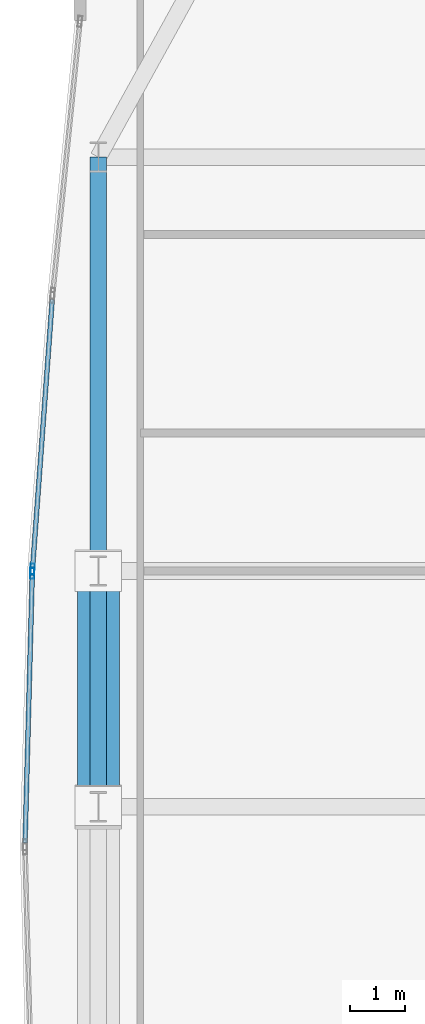
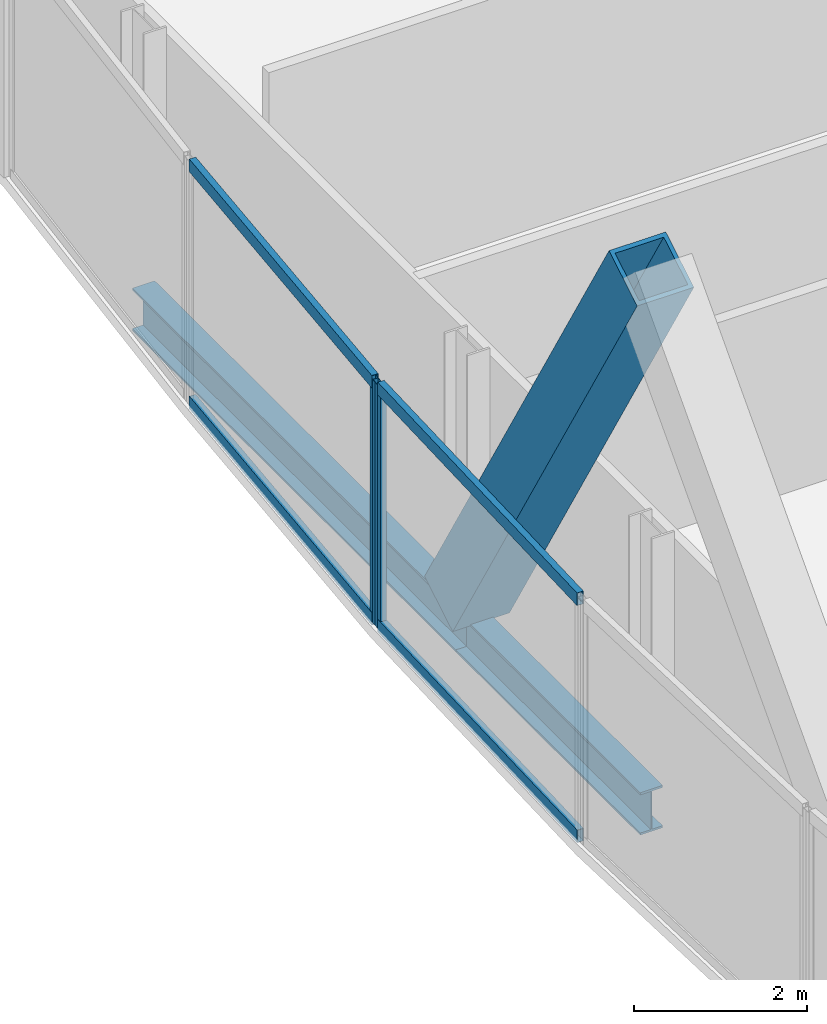
# One storey, part 11 of 31: 7 members, 2 beams, 2 elements without a shape of their own.
"""IFC4 building model written with IfcOpenShell, lengths in metres."""

from ifc_helpers import new_model, si_unit, direction, frame, origin, origin_2d, place, context, subcontext, project, spatial, hollow_rectangle, i_section, extrude, material, material_profile, profile_set, type_object, element, aggregate, save


model = new_model("IFC4")

# Units and contexts
model_context = context("Model", 3, precision=1e-05, world=origin(), true_north=direction((0.0, 1.0)))
body_context = subcontext(model_context, "Body", "Model", "MODEL_VIEW")
ifc_project = project(units=[si_unit("LENGTHUNIT", "METRE"), si_unit("AREAUNIT", "SQUARE_METRE"), si_unit("VOLUMEUNIT", "CUBIC_METRE"), si_unit("PLANEANGLEUNIT", "RADIAN"), si_unit("MASSUNIT", "GRAM", prefix="KILO")], contexts=[model_context])

# Site, building, storey
site_placement = place(None, origin())
site = spatial("IfcSite", under=ifc_project, at=site_placement, CompositionType="ELEMENT")
building_placement = place(site_placement, origin())
building = spatial("IfcBuilding", under=site, at=building_placement, Name="Khoronbel Lancet Exchange", CompositionType="ELEMENT")
storey_placement = place(building_placement, frame((0.0, 0.0, 129.0)))
storey = spatial("IfcBuildingStorey", under=building, at=storey_placement, Name="L31", CompositionType="ELEMENT", Elevation=129.0)

# Beams
ifc_material_1 = material(Name="Steel S355", Category="steel")
ifc_material_profile_1 = material_profile(ifc_material_1, i_section(OverallWidth=0.300048828125, OverallDepth=0.60009765625, WebThickness=0.015380859375, FlangeThickness=0.030029296875, at=origin_2d()), Name="HEB 600")
ifc_profile_set_1 = profile_set([ifc_material_profile_1], Name="Steel S355")
beam_type = type_object("IfcBeamType", Name="BM-BSP2", PredefinedType="SPANDREL", material=ifc_profile_set_1)
beam_1_placement = place(storey_placement, frame((3.27001953125, 43.199951171875, -0.4599609375), z_axis=(0.0, -1.0, 0.0), x_axis=(1.0, 0.0, 0.0)))
element("IfcBeam", 1, at=beam_1_placement, inside=storey, type_object=beam_type, Name="Level L31 perimeter spandrel beam SP17", PredefinedType="SPANDREL", context=body_context, shape_type="SweptSolid", body=[
    extrude(i_section(OverallWidth=0.300048828125, OverallDepth=0.60009765625, WebThickness=0.015380859375, FlangeThickness=0.030029296875, at=origin_2d()), origin(), (0.0, 0.0, 1.0), 7.5),
])
beam_2_placement = place(storey_placement, frame((3.27001953125, 35.699951171875, -0.4599609375), z_axis=(0.0, -1.0, 0.0), x_axis=(1.0, 0.0, 0.0)))
element("IfcBeam", 2, at=beam_2_placement, inside=storey, type_object=beam_type, Name="Level L31 perimeter spandrel beam SP18", PredefinedType="SPANDREL", context=body_context, shape_type="SweptSolid", body=[
    extrude(i_section(OverallWidth=0.300048828125, OverallDepth=0.60009765625, WebThickness=0.015380859375, FlangeThickness=0.030029296875, at=origin_2d()), origin(), (0.0, 0.0, 1.0), 4.27490234375),
])

# Curtain wall, member
ifc_material_2 = material(Name="Low-E Solar Control Insulating Glass", Category="glass")
curtain_wall_type = type_object("IfcCurtainWallType", Name="CW-4", PredefinedType="NOTDEFINED", material=ifc_material_2)
curtain_wall_1_placement = place(storey_placement, origin())
curtain_wall_1 = element("IfcCurtainWall", 3, at=curtain_wall_1_placement, inside=storey, type_object=curtain_wall_type, Name="Unitised curtain wall CW-L31-E07", PredefinedType="NOTDEFINED")
ifc_material_3 = material(Name="Bronze-Anodised Aluminium 6063-T6", Category="aluminium")
ifc_material_profile_2 = material_profile(ifc_material_3, hollow_rectangle(XDim=0.074951171875, YDim=0.199951171875, WallThickness=0.0048828125, at=origin_2d()), Name="ALU MULLION 75x200")
ifc_profile_set_2 = profile_set([ifc_material_profile_2], Name="Bronze-Anodised Aluminium 6063-T6")
member_type_1 = type_object("IfcMemberType", Name="MEM-CWM2", PredefinedType="MULLION", material=ifc_profile_set_2)
member_1_placement = place(storey_placement, frame((2.072998046875, 35.657958984375, 0.0), z_axis=(0.0, 0.0, 1.0), x_axis=(-0.99964096293, 0.026794500031, 0.0)))
member_1 = element("IfcMember", 4, at=member_1_placement, type_object=member_type_1, Name="CW4 mullion 2", PredefinedType="MULLION", context=body_context, shape_type="SweptSolid", body=[
    extrude(hollow_rectangle(XDim=0.074951171875, YDim=0.199951171875, WallThickness=0.0048828125, at=origin_2d()), origin(), (0.0, 0.0, 1.0), 3.43994140625),
])

curtain_wall_2_placement = place(storey_placement, origin())
curtain_wall_2 = element("IfcCurtainWall", 5, at=curtain_wall_2_placement, inside=storey, type_object=curtain_wall_type, Name="Unitised curtain wall CW-L31-E08", PredefinedType="NOTDEFINED")
member_2_placement = place(storey_placement, frame((2.07666015625, 35.73291015625, 0.0), z_axis=(0.0, 0.0, 1.0), x_axis=(-0.997330994662, 0.073012924107, 0.0)))
member_2 = element("IfcMember", 6, at=member_2_placement, type_object=member_type_1, Name="CW4 mullion 1", PredefinedType="MULLION", context=body_context, shape_type="SweptSolid", body=[
    extrude(hollow_rectangle(XDim=0.074951171875, YDim=0.199951171875, WallThickness=0.0048828125, at=origin_2d()), origin(), (0.0, 0.0, 1.0), 3.43994140625),
])

# Member
ifc_material_profile_3 = material_profile(ifc_material_3, hollow_rectangle(XDim=0.0849609375, YDim=0.179931640625, WallThickness=0.0048828125, at=origin_2d()), Name="ALU TRANSOM 85x180")
ifc_profile_set_3 = profile_set([ifc_material_profile_3], Name="Bronze-Anodised Aluminium 6063-T6")
member_type_2 = type_object("IfcMemberType", Name="MEM-CWT1", PredefinedType="USERDEFINED", material=ifc_profile_set_3)
member_3_placement = place(storey_placement, frame((1.94189453125, 30.77490234375, 0.04248046875), z_axis=(0.026794084956, 0.999640974056, 0.0), x_axis=(-0.999640974056, 0.026794084956, 0.0)))
member_3 = element("IfcMember", 7, at=member_3_placement, type_object=member_type_2, Name="CW4 transom 1.1", ObjectType="TRANSOM", PredefinedType="USERDEFINED", context=body_context, shape_type="SweptSolid", body=[
    extrude(hollow_rectangle(XDim=0.0849609375, YDim=0.179931640625, WallThickness=0.0048828125, at=origin_2d()), origin(), (0.0, 0.0, 1.0), 4.847412109375),
])

member_4_placement = place(storey_placement, frame((1.94189453125, 30.77490234375, 3.3974609375), z_axis=(0.026794084956, 0.999640974056, 0.0), x_axis=(-0.999640974056, 0.026794084956, 0.0)))
member_4 = element("IfcMember", 8, at=member_4_placement, type_object=member_type_2, Name="CW4 transom 1.2", ObjectType="TRANSOM", PredefinedType="USERDEFINED", context=body_context, shape_type="SweptSolid", body=[
    extrude(hollow_rectangle(XDim=0.0849609375, YDim=0.179931640625, WallThickness=0.0048828125, at=origin_2d()), origin(), (0.0, 0.0, 1.0), 4.847412109375),
])

aggregate(curtain_wall_1, [member_1, member_3, member_4])

member_5_placement = place(storey_placement, frame((2.079345703125, 35.770263671875, 0.04248046875), z_axis=(0.073039009223, 0.997329084672, 0.0), x_axis=(-0.997329084672, 0.073039009223, 0.0)))
member_5 = element("IfcMember", 9, at=member_5_placement, type_object=member_type_2, Name="CW4 transom 1.1", ObjectType="TRANSOM", PredefinedType="USERDEFINED", context=body_context, shape_type="SweptSolid", body=[
    extrude(hollow_rectangle(XDim=0.0849609375, YDim=0.179931640625, WallThickness=0.0048828125, at=origin_2d()), origin(), (0.0, 0.0, 1.0), 4.860107421875),
])

member_6_placement = place(storey_placement, frame((2.079345703125, 35.770263671875, 3.3974609375), z_axis=(0.073039009223, 0.997329084672, 0.0), x_axis=(-0.997329084672, 0.073039009223, 0.0)))
member_6 = element("IfcMember", 10, at=member_6_placement, type_object=member_type_2, Name="CW4 transom 1.2", ObjectType="TRANSOM", PredefinedType="USERDEFINED", context=body_context, shape_type="SweptSolid", body=[
    extrude(hollow_rectangle(XDim=0.0849609375, YDim=0.179931640625, WallThickness=0.0048828125, at=origin_2d()), origin(), (0.0, 0.0, 1.0), 4.860107421875),
])

aggregate(curtain_wall_2, [member_2, member_5, member_6])

ifc_material_4 = material(Name="Steel S460", Category="steel")
ifc_material_profile_4 = material_profile(ifc_material_4, hollow_rectangle(XDim=0.760009765625, YDim=0.760009765625, WallThickness=0.054931640625, at=origin_2d()), Name="BOX 760x760x55")
ifc_profile_set_4 = profile_set([ifc_material_profile_4], Name="Steel S460")
member_type_3 = type_object("IfcMemberType", Name="MEM-MB1", PredefinedType="BRACE", material=ifc_profile_set_4)
member_7_placement = place(storey_placement, frame((3.27001953125, 35.699951171875, 0.0), z_axis=(0.0, -0.510532691247, 0.859858343664), x_axis=(1.0, 0.0, 0.0)))
element("IfcMember", 11, at=member_7_placement, inside=storey, type_object=member_type_3, Name="Perimeter lancet brace tier 10 W-P-R", PredefinedType="BRACE", context=body_context, shape_type="SweptSolid", body=[
    extrude(hollow_rectangle(XDim=0.760009765625, YDim=0.760009765625, WallThickness=0.054931640625, at=origin_2d()), origin(), (0.0, 0.0, 1.0), 8.37353515625),
])

save(model, "model.ifc")
